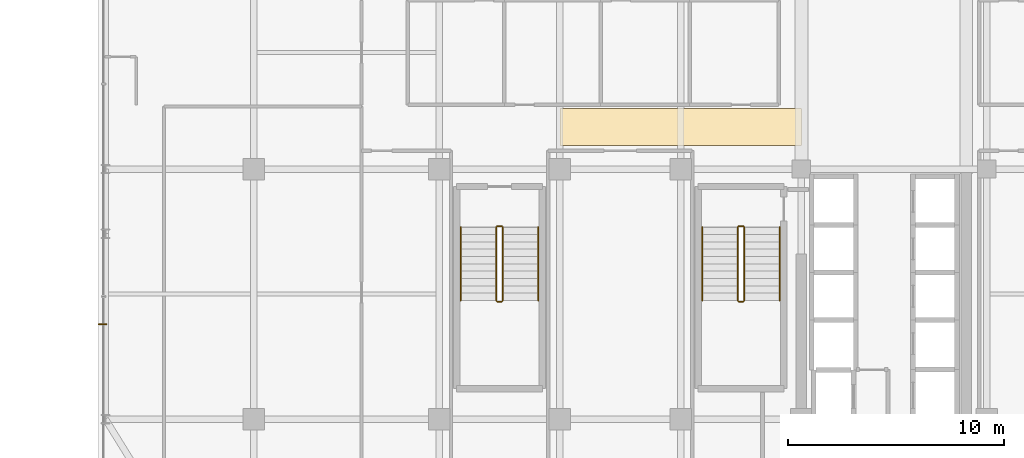
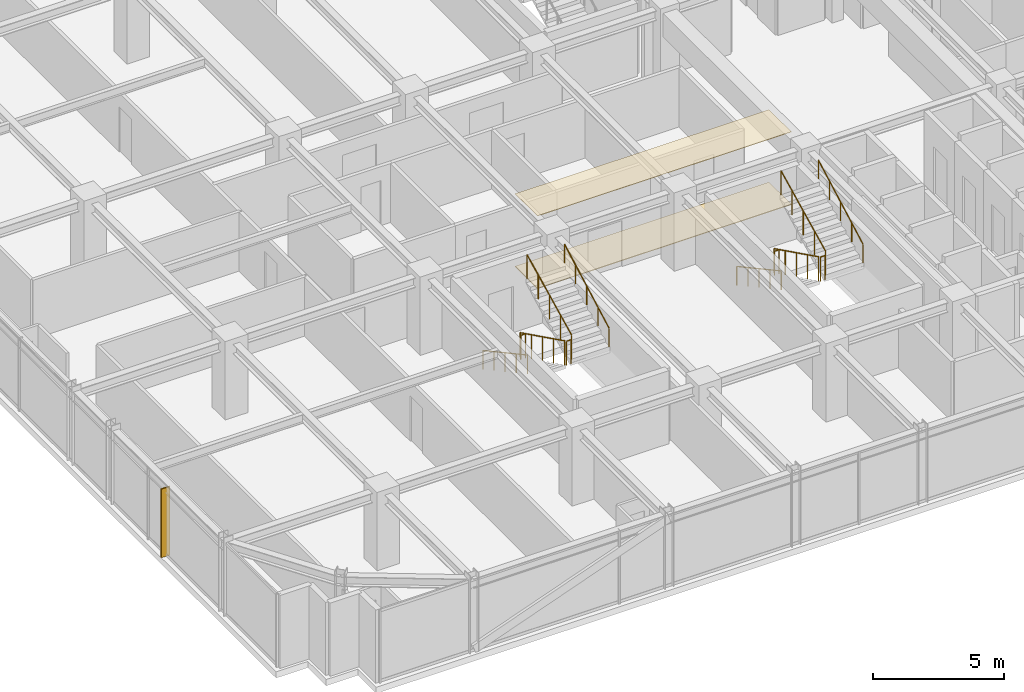
# One storey, part 33 of 36: 12 railings, 2 coverings, 1 shading device.
"""IFC4 building model written with IfcOpenShell, lengths in metres."""

from ifc_helpers import new_model, si_unit, direction, frame, origin, origin_2d, place, context, subcontext, project, spatial, polyline, rectangle, circle, outline, extrude, source, transform, mapped, material, layer, layer_set, type_object, element, save


model = new_model("IFC4")

# Units and contexts
model_context = context("Model", 3, precision=1e-05, world=origin(), true_north=direction((0.0, 1.0)))
body_context = subcontext(model_context, "Body", "Model", "MODEL_VIEW")
ifc_project = project(units=[si_unit("LENGTHUNIT", "METRE"), si_unit("AREAUNIT", "SQUARE_METRE"), si_unit("VOLUMEUNIT", "CUBIC_METRE"), si_unit("PLANEANGLEUNIT", "RADIAN"), si_unit("MASSUNIT", "GRAM", prefix="KILO")], contexts=[model_context])

# Site, building, storey
site_placement = place(None, origin())
site = spatial("IfcSite", under=ifc_project, at=site_placement, CompositionType="ELEMENT")
building_placement = place(site_placement, origin())
building = spatial("IfcBuilding", under=site, at=building_placement, Name="Nahalor Promenade Grand Hotel", CompositionType="ELEMENT")
storey_placement = place(building_placement, frame((0.0, 0.0, 212.300048828125)))
storey = spatial("IfcBuildingStorey", under=building, at=storey_placement, Name="L54", CompositionType="ELEMENT", Elevation=212.300048828125)

# Coverings
ifc_material_1 = material(Name="Acoustic Mineral Gypsum", Category="gypsum")
ifc_layer_1 = layer(ifc_material_1, 0.02490234375)
ifc_layer_set_1 = layer_set([ifc_layer_1], Name="Acoustic Mineral Gypsum")
covering_type_1 = type_object("IfcCoveringType", Name="Acoustic Suspended Ceiling Tile", PredefinedType="CEILING", material=ifc_layer_set_1)
covering_1_placement = place(storey_placement, frame((0.0, 0.0, 3.385009765625)))
element("IfcCovering", 1, at=covering_1_placement, inside=storey, type_object=covering_type_1, Name="CV-CEIL-L54", PredefinedType="CEILING", context=body_context, shape_type="SweptSolid", body=[
    extrude(outline(polyline([(-2.800048828125, -4.300048828125), (8.39990234375, -4.300048828125), (8.39990234375, -2.60009765625), (-2.800048828125, -2.60009765625), (-2.800048828125, -4.300048828125)])), origin(), (0.0, 0.0, 1.0), 0.02490234375),
])
ifc_material_2 = material(Name="Jerusalem Limestone Flooring", Category="masonry")
ifc_layer_2 = layer(ifc_material_2, 0.030029296875)
ifc_layer_set_2 = layer_set([ifc_layer_2], Name="Jerusalem Limestone Flooring")
covering_type_2 = type_object("IfcCoveringType", Name="Honed Limestone Floor Finish", PredefinedType="FLOORING", material=ifc_layer_set_2)
covering_2_placement = place(storey_placement, origin())
element("IfcCovering", 2, at=covering_2_placement, inside=storey, type_object=covering_type_2, Name="CV-FLOR-L54", PredefinedType="FLOORING", context=body_context, shape_type="SweptSolid", body=[
    extrude(outline(polyline([(-2.800048828125, -4.300048828125), (8.39990234375, -4.300048828125), (8.39990234375, -2.60009765625), (-2.800048828125, -2.60009765625), (-2.800048828125, -4.300048828125)])), origin(), (0.0, 0.0, 1.0), 0.030029296875),
])

# Railings
ifc_material_3 = material(Name="Steel S355JR", Category="steel")
railing_type_1 = type_object("IfcRailingType", Name="Steel Stair Guardrail 1150 mm", PredefinedType="GUARDRAIL", material=ifc_material_3)
railing_1_placement = place(storey_placement, frame((5.449951171875, -8.10009765625, 0.168212890625)))
element("IfcRailing", 3, at=railing_1_placement, inside=storey, type_object=railing_type_1, Name="L54 ST2 stair guard 1", PredefinedType="GUARDRAIL", context=body_context, shape_type="SweptSolid", body=[
    extrude(circle(Radius=0.024048, at=origin_2d()), frame((0.0, 0.0, 1.1259765625), z_axis=(0.0, -0.896349809652, 0.44334751464), x_axis=(1.0, 0.0, 0.0)), (0.0, 0.0, 1.0), 3.79296875),
    extrude(circle(Radius=0.020996, at=origin_2d()), origin(), (0.0, 0.0, 1.0), 1.099853515625),
    extrude(circle(Radius=0.020996, at=origin_2d()), frame((0.0, -0.85009765625, 0.42041015625)), (0.0, 0.0, 1.0), 1.099853515625),
    extrude(circle(Radius=0.020996, at=origin_2d()), frame((0.0, -1.699951171875, 0.8408203125)), (0.0, 0.0, 1.0), 1.099853515625),
    extrude(circle(Radius=0.020996, at=origin_2d()), frame((0.0, -2.5498046875, 1.26123046875)), (0.0, 0.0, 1.0), 1.099853515625),
    extrude(circle(Radius=0.020996, at=origin_2d()), frame((0.0, -3.39990234375, 1.681640625)), (0.0, 0.0, 1.0), 1.099853515625),
])
railing_2_placement = place(storey_placement, frame((5.5, -11.550048828125, 1.849853515625)))
element("IfcRailing", 4, at=railing_2_placement, inside=storey, type_object=railing_type_1, Name="L54 ST2 stair guard 2", PredefinedType="GUARDRAIL", context=body_context, shape_type="SweptSolid", body=[
    extrude(circle(Radius=0.024048, at=origin_2d()), frame((0.0, 0.0, 1.1259765625), z_axis=(1.0, 0.0, 0.0), x_axis=(0.0, 1.0, 0.0)), (0.0, 0.0, 1.0), 0.199951171875),
    extrude(circle(Radius=0.020996, at=origin_2d()), origin(), (0.0, 0.0, 1.0), 1.099853515625),
    extrude(circle(Radius=0.020996, at=origin_2d()), frame((0.199951171875, 0.0, 0.0)), (0.0, 0.0, 1.0), 1.099853515625),
])
railing_3_placement = place(storey_placement, frame((5.75, -11.5, 2.01806640625)))
element("IfcRailing", 5, at=railing_3_placement, inside=storey, type_object=railing_type_1, Name="L54 ST2 stair guard 3", PredefinedType="GUARDRAIL", context=body_context, shape_type="SweptSolid", body=[
    extrude(circle(Radius=0.024048, at=origin_2d()), frame((0.0, 0.0, 1.1259765625), z_axis=(0.0, 0.896324230515, 0.443399226197), x_axis=(-1.0, 0.0, 0.0)), (0.0, 0.0, 1.0), 3.793212890625),
    extrude(circle(Radius=0.020996, at=origin_2d()), origin(), (0.0, 0.0, 1.0), 1.099853515625),
    extrude(circle(Radius=0.020996, at=origin_2d()), frame((0.0, 0.85009765625, 0.42041015625)), (0.0, 0.0, 1.0), 1.099853515625),
    extrude(circle(Radius=0.020996, at=origin_2d()), frame((0.0, 1.699951171875, 0.8408203125)), (0.0, 0.0, 1.0), 1.099853515625),
    extrude(circle(Radius=0.020996, at=origin_2d()), frame((0.0, 2.5498046875, 1.261474609375)), (0.0, 0.0, 1.0), 1.099853515625),
    extrude(circle(Radius=0.020996, at=origin_2d()), frame((0.0, 3.39990234375, 1.681884765625)), (0.0, 0.0, 1.0), 1.099853515625),
])
railing_4_placement = place(storey_placement, frame((5.5, -8.050048828125, 0.0)))
element("IfcRailing", 6, at=railing_4_placement, inside=storey, type_object=railing_type_1, Name="L54 ST2 stair guard 4", PredefinedType="GUARDRAIL", context=body_context, shape_type="SweptSolid", body=[
    extrude(circle(Radius=0.024048, at=origin_2d()), frame((0.0, 0.0, 1.1259765625), z_axis=(1.0, 0.0, 0.0), x_axis=(0.0, 1.0, 0.0)), (0.0, 0.0, 1.0), 0.199951171875),
    extrude(circle(Radius=0.020996, at=origin_2d()), origin(), (0.0, 0.0, 1.0), 1.099853515625),
    extrude(circle(Radius=0.020996, at=origin_2d()), frame((0.199951171875, 0.0, 0.0)), (0.0, 0.0, 1.0), 1.099853515625),
])
railing_5_placement = place(storey_placement, frame((-5.75, -8.10009765625, 0.168212890625)))
element("IfcRailing", 7, at=railing_5_placement, inside=storey, type_object=railing_type_1, Name="L54 ST3 stair guard 1", PredefinedType="GUARDRAIL", context=body_context, shape_type="SweptSolid", body=[
    extrude(circle(Radius=0.024048, at=origin_2d()), frame((0.0, 0.0, 1.1259765625), z_axis=(0.0, -0.896349809652, 0.44334751464), x_axis=(1.0, 0.0, 0.0)), (0.0, 0.0, 1.0), 3.79296875),
    extrude(circle(Radius=0.020996, at=origin_2d()), origin(), (0.0, 0.0, 1.0), 1.099853515625),
    extrude(circle(Radius=0.020996, at=origin_2d()), frame((0.0, -0.85009765625, 0.42041015625)), (0.0, 0.0, 1.0), 1.099853515625),
    extrude(circle(Radius=0.020996, at=origin_2d()), frame((0.0, -1.699951171875, 0.8408203125)), (0.0, 0.0, 1.0), 1.099853515625),
    extrude(circle(Radius=0.020996, at=origin_2d()), frame((0.0, -2.5498046875, 1.26123046875)), (0.0, 0.0, 1.0), 1.099853515625),
    extrude(circle(Radius=0.020996, at=origin_2d()), frame((0.0, -3.39990234375, 1.681640625)), (0.0, 0.0, 1.0), 1.099853515625),
])
railing_6_placement = place(storey_placement, frame((-5.699951171875, -11.550048828125, 1.849853515625)))
element("IfcRailing", 8, at=railing_6_placement, inside=storey, type_object=railing_type_1, Name="L54 ST3 stair guard 2", PredefinedType="GUARDRAIL", context=body_context, shape_type="SweptSolid", body=[
    extrude(circle(Radius=0.024048, at=origin_2d()), frame((0.0, 0.0, 1.1259765625), z_axis=(1.0, 0.0, 0.0), x_axis=(0.0, 1.0, 0.0)), (0.0, 0.0, 1.0), 0.199951171875),
    extrude(circle(Radius=0.020996, at=origin_2d()), origin(), (0.0, 0.0, 1.0), 1.099853515625),
    extrude(circle(Radius=0.020996, at=origin_2d()), frame((0.199951171875, 0.0, 0.0)), (0.0, 0.0, 1.0), 1.099853515625),
])
railing_7_placement = place(storey_placement, frame((-5.449951171875, -11.5, 2.01806640625)))
element("IfcRailing", 9, at=railing_7_placement, inside=storey, type_object=railing_type_1, Name="L54 ST3 stair guard 3", PredefinedType="GUARDRAIL", context=body_context, shape_type="SweptSolid", body=[
    extrude(circle(Radius=0.024048, at=origin_2d()), frame((0.0, 0.0, 1.1259765625), z_axis=(0.0, 0.896324230515, 0.443399226197), x_axis=(-1.0, 0.0, 0.0)), (0.0, 0.0, 1.0), 3.793212890625),
    extrude(circle(Radius=0.020996, at=origin_2d()), origin(), (0.0, 0.0, 1.0), 1.099853515625),
    extrude(circle(Radius=0.020996, at=origin_2d()), frame((0.0, 0.85009765625, 0.42041015625)), (0.0, 0.0, 1.0), 1.099853515625),
    extrude(circle(Radius=0.020996, at=origin_2d()), frame((0.0, 1.699951171875, 0.8408203125)), (0.0, 0.0, 1.0), 1.099853515625),
    extrude(circle(Radius=0.020996, at=origin_2d()), frame((0.0, 2.5498046875, 1.261474609375)), (0.0, 0.0, 1.0), 1.099853515625),
    extrude(circle(Radius=0.020996, at=origin_2d()), frame((0.0, 3.39990234375, 1.681884765625)), (0.0, 0.0, 1.0), 1.099853515625),
])
railing_8_placement = place(storey_placement, frame((-5.699951171875, -8.050048828125, 0.0)))
element("IfcRailing", 10, at=railing_8_placement, inside=storey, type_object=railing_type_1, Name="L54 ST3 stair guard 4", PredefinedType="GUARDRAIL", context=body_context, shape_type="SweptSolid", body=[
    extrude(circle(Radius=0.024048, at=origin_2d()), frame((0.0, 0.0, 1.1259765625), z_axis=(1.0, 0.0, 0.0), x_axis=(0.0, 1.0, 0.0)), (0.0, 0.0, 1.0), 0.199951171875),
    extrude(circle(Radius=0.020996, at=origin_2d()), origin(), (0.0, 0.0, 1.0), 1.099853515625),
    extrude(circle(Radius=0.020996, at=origin_2d()), frame((0.199951171875, 0.0, 0.0)), (0.0, 0.0, 1.0), 1.099853515625),
])
railing_type_2 = type_object("IfcRailingType", Name="Steel Stair Handrail 900 mm", PredefinedType="HANDRAIL", material=ifc_material_3)
railing_9_placement = place(storey_placement, frame((3.800048828125, -8.10009765625, 0.168212890625)))
element("IfcRailing", 11, at=railing_9_placement, inside=storey, type_object=railing_type_2, Name="L54 ST2 stair handrail 1", PredefinedType="HANDRAIL", context=body_context, shape_type="SweptSolid", body=[
    extrude(circle(Radius=0.024048, at=origin_2d()), frame((0.0, 0.0, 0.8759765625), z_axis=(0.0, -0.878398892953, 0.47792822145), x_axis=(1.0, 0.0, 0.0)), (0.0, 0.0, 1.0), 3.87060546875),
    extrude(circle(Radius=0.020996, at=origin_2d()), origin(), (0.0, 0.0, 1.0), 0.849853515625),
    extrude(circle(Radius=0.020996, at=origin_2d()), frame((0.0, -0.85009765625, 0.46240234375)), (0.0, 0.0, 1.0), 0.849853515625),
    extrude(circle(Radius=0.020996, at=origin_2d()), frame((0.0, -1.699951171875, 0.9248046875)), (0.0, 0.0, 1.0), 0.849853515625),
    extrude(circle(Radius=0.020996, at=origin_2d()), frame((0.0, -2.5498046875, 1.387451171875)), (0.0, 0.0, 1.0), 0.849853515625),
    extrude(circle(Radius=0.020996, at=origin_2d()), frame((0.0, -3.39990234375, 1.849853515625)), (0.0, 0.0, 1.0), 0.849853515625),
])
railing_10_placement = place(storey_placement, frame((7.39990234375, -11.5, 2.01806640625)))
element("IfcRailing", 12, at=railing_10_placement, inside=storey, type_object=railing_type_2, Name="L54 ST2 stair handrail 2", PredefinedType="HANDRAIL", context=body_context, shape_type="SweptSolid", body=[
    extrude(circle(Radius=0.024048, at=origin_2d()), frame((0.0, 0.0, 0.8759765625), z_axis=(0.0, 0.87837241229, 0.47797688786), x_axis=(-1.0, 0.0, 0.0)), (0.0, 0.0, 1.0), 3.87060546875),
    extrude(circle(Radius=0.020996, at=origin_2d()), origin(), (0.0, 0.0, 1.0), 0.849853515625),
    extrude(circle(Radius=0.020996, at=origin_2d()), frame((0.0, 0.85009765625, 0.46240234375)), (0.0, 0.0, 1.0), 0.849853515625),
    extrude(circle(Radius=0.020996, at=origin_2d()), frame((0.0, 1.699951171875, 0.925048828125)), (0.0, 0.0, 1.0), 0.849853515625),
    extrude(circle(Radius=0.020996, at=origin_2d()), frame((0.0, 2.5498046875, 1.3876953125)), (0.0, 0.0, 1.0), 0.849853515625),
    extrude(circle(Radius=0.020996, at=origin_2d()), frame((0.0, 3.39990234375, 1.85009765625)), (0.0, 0.0, 1.0), 0.849853515625),
])
railing_11_placement = place(storey_placement, frame((-7.39990234375, -8.10009765625, 0.168212890625)))
element("IfcRailing", 13, at=railing_11_placement, inside=storey, type_object=railing_type_2, Name="L54 ST3 stair handrail 1", PredefinedType="HANDRAIL", context=body_context, shape_type="SweptSolid", body=[
    extrude(circle(Radius=0.024048, at=origin_2d()), frame((0.0, 0.0, 0.8759765625), z_axis=(0.0, -0.878398892953, 0.47792822145), x_axis=(1.0, 0.0, 0.0)), (0.0, 0.0, 1.0), 3.87060546875),
    extrude(circle(Radius=0.020996, at=origin_2d()), origin(), (0.0, 0.0, 1.0), 0.849853515625),
    extrude(circle(Radius=0.020996, at=origin_2d()), frame((0.0, -0.85009765625, 0.46240234375)), (0.0, 0.0, 1.0), 0.849853515625),
    extrude(circle(Radius=0.020996, at=origin_2d()), frame((0.0, -1.699951171875, 0.9248046875)), (0.0, 0.0, 1.0), 0.849853515625),
    extrude(circle(Radius=0.020996, at=origin_2d()), frame((0.0, -2.5498046875, 1.387451171875)), (0.0, 0.0, 1.0), 0.849853515625),
    extrude(circle(Radius=0.020996, at=origin_2d()), frame((0.0, -3.39990234375, 1.849853515625)), (0.0, 0.0, 1.0), 0.849853515625),
])
railing_12_placement = place(storey_placement, frame((-3.800048828125, -11.5, 2.01806640625)))
element("IfcRailing", 14, at=railing_12_placement, inside=storey, type_object=railing_type_2, Name="L54 ST3 stair handrail 2", PredefinedType="HANDRAIL", context=body_context, shape_type="SweptSolid", body=[
    extrude(circle(Radius=0.024048, at=origin_2d()), frame((0.0, 0.0, 0.8759765625), z_axis=(0.0, 0.87837241229, 0.47797688786), x_axis=(-1.0, 0.0, 0.0)), (0.0, 0.0, 1.0), 3.87060546875),
    extrude(circle(Radius=0.020996, at=origin_2d()), origin(), (0.0, 0.0, 1.0), 0.849853515625),
    extrude(circle(Radius=0.020996, at=origin_2d()), frame((0.0, 0.85009765625, 0.46240234375)), (0.0, 0.0, 1.0), 0.849853515625),
    extrude(circle(Radius=0.020996, at=origin_2d()), frame((0.0, 1.699951171875, 0.925048828125)), (0.0, 0.0, 1.0), 0.849853515625),
    extrude(circle(Radius=0.020996, at=origin_2d()), frame((0.0, 2.5498046875, 1.3876953125)), (0.0, 0.0, 1.0), 0.849853515625),
    extrude(circle(Radius=0.020996, at=origin_2d()), frame((0.0, 3.39990234375, 1.85009765625)), (0.0, 0.0, 1.0), 0.849853515625),
])

# Shading device
ifc_material_4 = material(Name="Anodised Bronze Aluminium EN AW-6063 T6", Category="aluminium")
ifc_layer_3 = layer(ifc_material_4, 0.06005859375)
ifc_layer_set_3 = layer_set([ifc_layer_3], Name="Anodised Bronze Aluminium EN AW-6063 T6")
shading_device_type = type_object("IfcShadingDeviceType", Name="Shade-SolarFin-Bronze", PredefinedType="JALOUSIE", material=ifc_layer_set_3)
shared_shape = source(origin(), body_context, "Body", "SweptSolid", [
    extrude(rectangle(XDim=0.3798828125, YDim=0.06005859375, at=origin_2d()), origin(), (0.0, 0.0, 1.0), 3.199951171875),
])
shading_device_placement = place(storey_placement, frame((-24.010009765625, -12.60009765625, 0.0), z_axis=(0.0, 0.0, 1.0), x_axis=(1.0, 0.0, 0.0)))
element("IfcShadingDevice", 15, at=shading_device_placement, inside=storey, type_object=shading_device_type, Name="JAL-L54-W1", PredefinedType="JALOUSIE", context=body_context, shape_type="MappedRepresentation", body=[
    mapped(shared_shape, transform((0.0, 0.0, 0.0), scale=1.0)),
])

save(model, "model.ifc")
